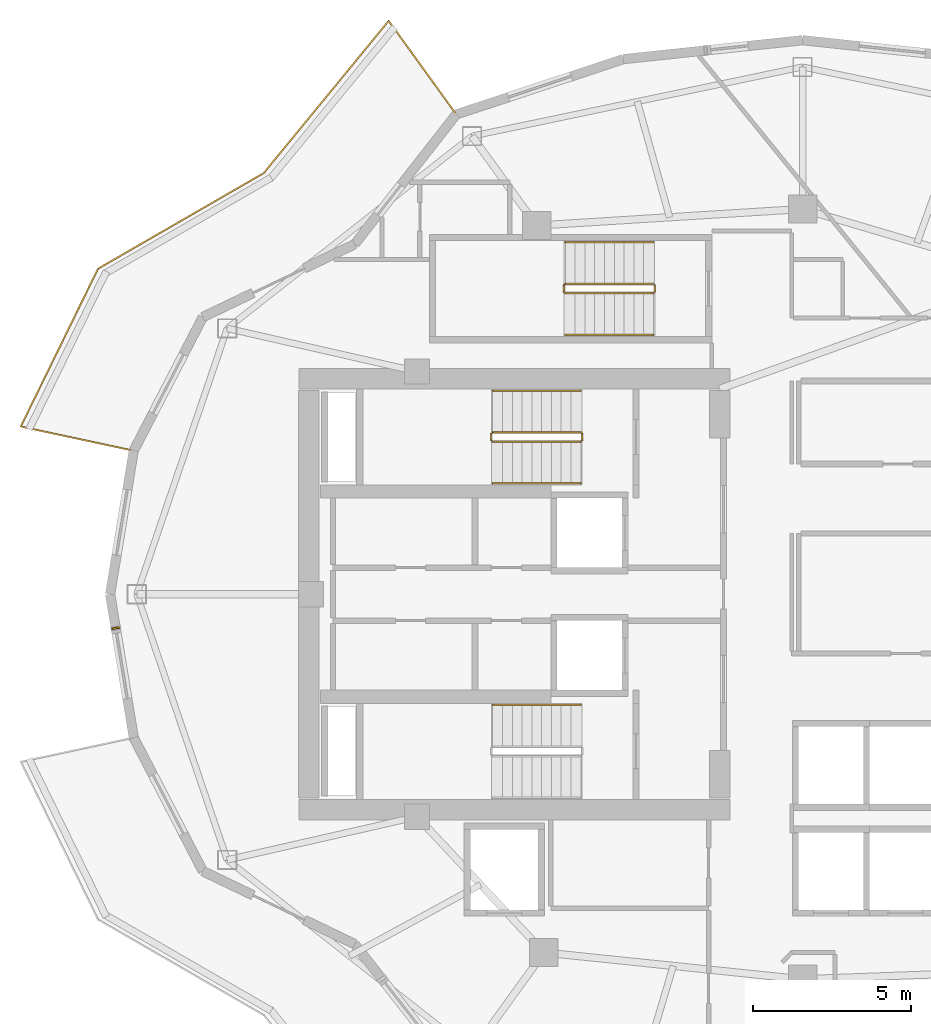
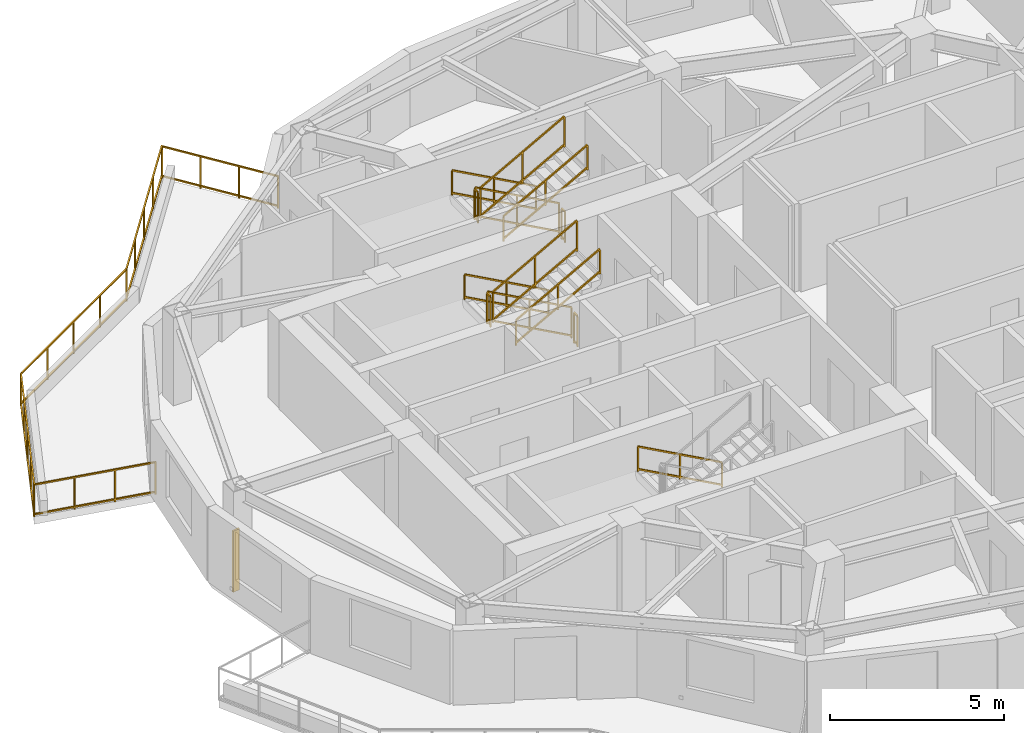
# One storey, part 12 of 13: 14 railings, 1 shading device.
"""IFC4 building model written with IfcOpenShell, lengths in metres."""

from ifc_helpers import new_model, si_unit, direction, frame, origin, origin_2d, place, context, subcontext, project, spatial, rectangle, extrude, material, type_object, element, save


model = new_model("IFC4")

# Units and contexts
model_context = context("Model", 3, precision=1e-05, world=origin(), true_north=direction((0.0, 1.0)))
body_context = subcontext(model_context, "Body", "Model", "MODEL_VIEW")
ifc_project = project(units=[si_unit("LENGTHUNIT", "METRE"), si_unit("AREAUNIT", "SQUARE_METRE"), si_unit("VOLUMEUNIT", "CUBIC_METRE"), si_unit("PLANEANGLEUNIT", "RADIAN"), si_unit("MASSUNIT", "GRAM", prefix="KILO")], contexts=[model_context])

# Site, building, storey
site_placement = place(None, origin())
site = spatial("IfcSite", under=ifc_project, at=site_placement, CompositionType="ELEMENT")
building_placement = place(site_placement, origin())
building = spatial("IfcBuilding", under=site, at=building_placement, Name="Kolvaren Gate Tower and Convention Centre", CompositionType="ELEMENT")
storey_placement = place(building_placement, frame((0.0, 0.0, 183.5)))
storey = spatial("IfcBuildingStorey", under=building, at=storey_placement, Name="L48", CompositionType="ELEMENT", Elevation=183.5)

# Railings
ifc_material_1 = material(Name="Brushed Stainless Steel Grade 316L", Category="steel")
railing_type_1 = type_object("IfcRailingType", Name="ARCH-RL-GUARD-1150", PredefinedType="GUARDRAIL", material=ifc_material_1)
railing_1_placement = place(storey_placement, frame((23.10009765625, 32.1298828125, 0.169921875)))
element("IfcRailing", 1, at=railing_1_placement, inside=storey, type_object=railing_type_1, Name="L48 ST-T1 stair guard 1", PredefinedType="GUARDRAIL", context=body_context, shape_type="SweptSolid", body=[
    extrude(rectangle(XDim=0.048095703125, YDim=0.048095703125, at=origin_2d()), frame((0.0, 0.0, 1.076171875), z_axis=(-0.876811365212, 0.0, 0.480834513982), x_axis=(0.0, -1.0, 0.0)), (0.0, 0.0, 1.0), 3.18212890625),
    extrude(rectangle(XDim=0.048095703125, YDim=0.048095703125, at=origin_2d()), frame((0.0, 0.0, 0.083984375), z_axis=(-0.876811365212, 0.0, 0.480834513982), x_axis=(0.0, -1.0, 0.0)), (0.0, 0.0, 1.0), 3.18212890625),
    extrude(rectangle(XDim=0.0419921875, YDim=0.0419921875, at=origin_2d()), origin(), (0.0, 0.0, 1.0), 1.050048828125),
    extrude(rectangle(XDim=0.0419921875, YDim=0.0419921875, at=origin_2d()), frame((-2.7900390625, 0.0, 1.530029296875)), (0.0, 0.0, 1.0), 1.050048828125),
    extrude(rectangle(XDim=0.0419921875, YDim=0.0419921875, at=origin_2d()), frame((-1.39501953125, 0.0, 0.76513671875)), (0.0, 0.0, 1.0), 1.050048828125),
])
railing_2_placement = place(storey_placement, frame((20.260009765625, 32.080078125, 1.699951171875)))
element("IfcRailing", 2, at=railing_2_placement, inside=storey, type_object=railing_type_1, Name="L48 ST-T1 stair guard 2", PredefinedType="GUARDRAIL", context=body_context, shape_type="SweptSolid", body=[
    extrude(rectangle(XDim=0.048095703125, YDim=0.048095703125, at=origin_2d()), frame((0.0, 0.0, 1.076171875), z_axis=(0.0, -1.0, 0.0), x_axis=(1.0, 0.0, 0.0)), (0.0, 0.0, 1.0), 0.2001953125),
    extrude(rectangle(XDim=0.048095703125, YDim=0.048095703125, at=origin_2d()), frame((0.0, 0.0, 0.083984375), z_axis=(0.0, -1.0, 0.0), x_axis=(1.0, 0.0, 0.0)), (0.0, 0.0, 1.0), 0.2001953125),
    extrude(rectangle(XDim=0.0419921875, YDim=0.0419921875, at=origin_2d()), origin(), (0.0, 0.0, 1.0), 1.050048828125),
    extrude(rectangle(XDim=0.0419921875, YDim=0.0419921875, at=origin_2d()), frame((0.0, -0.2001953125, 0.0)), (0.0, 0.0, 1.0), 1.050048828125),
])
railing_3_placement = place(storey_placement, frame((20.31005859375, 31.830078125, 1.8701171875)))
element("IfcRailing", 3, at=railing_3_placement, inside=storey, type_object=railing_type_1, Name="L48 ST-T1 stair guard 3", PredefinedType="GUARDRAIL", context=body_context, shape_type="SweptSolid", body=[
    extrude(rectangle(XDim=0.048095703125, YDim=0.048095703125, at=origin_2d()), frame((0.0, 0.0, 1.076171875), z_axis=(0.876843711699, 0.0, 0.480775524808), x_axis=(0.0, 1.0, 0.0)), (0.0, 0.0, 1.0), 3.181884765625),
    extrude(rectangle(XDim=0.048095703125, YDim=0.048095703125, at=origin_2d()), frame((0.0, 0.0, 0.083984375), z_axis=(0.876843711699, 0.0, 0.480775524808), x_axis=(0.0, 1.0, 0.0)), (0.0, 0.0, 1.0), 3.181884765625),
    extrude(rectangle(XDim=0.0419921875, YDim=0.0419921875, at=origin_2d()), origin(), (0.0, 0.0, 1.0), 1.050048828125),
    extrude(rectangle(XDim=0.0419921875, YDim=0.0419921875, at=origin_2d()), frame((2.7900390625, 0.0, 1.52978515625)), (0.0, 0.0, 1.0), 1.050048828125),
    extrude(rectangle(XDim=0.0419921875, YDim=0.0419921875, at=origin_2d()), frame((1.39501953125, 0.0, 0.764892578125)), (0.0, 0.0, 1.0), 1.050048828125),
])
railing_4_placement = place(storey_placement, frame((23.14990234375, 32.080078125, 0.0)))
element("IfcRailing", 4, at=railing_4_placement, inside=storey, type_object=railing_type_1, Name="L48 ST-T1 stair guard 4", PredefinedType="GUARDRAIL", context=body_context, shape_type="SweptSolid", body=[
    extrude(rectangle(XDim=0.048095703125, YDim=0.048095703125, at=origin_2d()), frame((0.0, 0.0, 1.076171875), z_axis=(0.0, -1.0, 0.0), x_axis=(1.0, 0.0, 0.0)), (0.0, 0.0, 1.0), 0.2001953125),
    extrude(rectangle(XDim=0.048095703125, YDim=0.048095703125, at=origin_2d()), frame((0.0, 0.0, 0.083984375), z_axis=(0.0, -1.0, 0.0), x_axis=(1.0, 0.0, 0.0)), (0.0, 0.0, 1.0), 0.2001953125),
    extrude(rectangle(XDim=0.0419921875, YDim=0.0419921875, at=origin_2d()), origin(), (0.0, 0.0, 1.0), 1.050048828125),
    extrude(rectangle(XDim=0.0419921875, YDim=0.0419921875, at=origin_2d()), frame((0.0, -0.2001953125, 0.0)), (0.0, 0.0, 1.0), 1.050048828125),
])
railing_5_placement = place(storey_placement, frame((25.39990234375, 36.830078125, 0.169921875)))
element("IfcRailing", 5, at=railing_5_placement, inside=storey, type_object=railing_type_1, Name="L48 ST-T3 stair guard 1", PredefinedType="GUARDRAIL", context=body_context, shape_type="SweptSolid", body=[
    extrude(rectangle(XDim=0.048095703125, YDim=0.048095703125, at=origin_2d()), frame((0.0, 0.0, 1.076171875), z_axis=(-0.8767936245, 0.0, 0.480866863109), x_axis=(0.0, -1.0, 0.0)), (0.0, 0.0, 1.0), 3.181884765625),
    extrude(rectangle(XDim=0.048095703125, YDim=0.048095703125, at=origin_2d()), frame((0.0, 0.0, 0.083984375), z_axis=(-0.8767936245, 0.0, 0.480866863109), x_axis=(0.0, -1.0, 0.0)), (0.0, 0.0, 1.0), 3.181884765625),
    extrude(rectangle(XDim=0.0419921875, YDim=0.0419921875, at=origin_2d()), origin(), (0.0, 0.0, 1.0), 1.050048828125),
    extrude(rectangle(XDim=0.0419921875, YDim=0.0419921875, at=origin_2d()), frame((-2.789794921875, 0.0, 1.530029296875)), (0.0, 0.0, 1.0), 1.050048828125),
    extrude(rectangle(XDim=0.0419921875, YDim=0.0419921875, at=origin_2d()), frame((-1.39501953125, 0.0, 0.76513671875)), (0.0, 0.0, 1.0), 1.050048828125),
])
railing_6_placement = place(storey_placement, frame((22.56005859375, 36.780029296875, 1.699951171875)))
element("IfcRailing", 6, at=railing_6_placement, inside=storey, type_object=railing_type_1, Name="L48 ST-T3 stair guard 2", PredefinedType="GUARDRAIL", context=body_context, shape_type="SweptSolid", body=[
    extrude(rectangle(XDim=0.048095703125, YDim=0.048095703125, at=origin_2d()), frame((0.0, 0.0, 1.076171875), z_axis=(0.0, -1.0, 0.0), x_axis=(1.0, 0.0, 0.0)), (0.0, 0.0, 1.0), 0.199951171875),
    extrude(rectangle(XDim=0.048095703125, YDim=0.048095703125, at=origin_2d()), frame((0.0, 0.0, 0.083984375), z_axis=(0.0, -1.0, 0.0), x_axis=(1.0, 0.0, 0.0)), (0.0, 0.0, 1.0), 0.199951171875),
    extrude(rectangle(XDim=0.0419921875, YDim=0.0419921875, at=origin_2d()), origin(), (0.0, 0.0, 1.0), 1.050048828125),
    extrude(rectangle(XDim=0.0419921875, YDim=0.0419921875, at=origin_2d()), frame((0.0, -0.199951171875, 0.0)), (0.0, 0.0, 1.0), 1.050048828125),
])
railing_7_placement = place(storey_placement, frame((22.610107421875, 36.530029296875, 1.8701171875)))
element("IfcRailing", 7, at=railing_7_placement, inside=storey, type_object=railing_type_1, Name="L48 ST-T3 stair guard 3", PredefinedType="GUARDRAIL", context=body_context, shape_type="SweptSolid", body=[
    extrude(rectangle(XDim=0.048095703125, YDim=0.048095703125, at=origin_2d()), frame((0.0, 0.0, 1.076171875), z_axis=(0.876825974686, 0.0, 0.480807872353), x_axis=(0.0, 1.0, 0.0)), (0.0, 0.0, 1.0), 3.181640625),
    extrude(rectangle(XDim=0.048095703125, YDim=0.048095703125, at=origin_2d()), frame((0.0, 0.0, 0.083984375), z_axis=(0.876825974686, 0.0, 0.480807872353), x_axis=(0.0, 1.0, 0.0)), (0.0, 0.0, 1.0), 3.181640625),
    extrude(rectangle(XDim=0.0419921875, YDim=0.0419921875, at=origin_2d()), origin(), (0.0, 0.0, 1.0), 1.050048828125),
    extrude(rectangle(XDim=0.0419921875, YDim=0.0419921875, at=origin_2d()), frame((2.789794921875, 0.0, 1.52978515625)), (0.0, 0.0, 1.0), 1.050048828125),
    extrude(rectangle(XDim=0.0419921875, YDim=0.0419921875, at=origin_2d()), frame((1.39501953125, 0.0, 0.764892578125)), (0.0, 0.0, 1.0), 1.050048828125),
])
railing_8_placement = place(storey_placement, frame((25.449951171875, 36.780029296875, 0.0)))
element("IfcRailing", 8, at=railing_8_placement, inside=storey, type_object=railing_type_1, Name="L48 ST-T3 stair guard 4", PredefinedType="GUARDRAIL", context=body_context, shape_type="SweptSolid", body=[
    extrude(rectangle(XDim=0.048095703125, YDim=0.048095703125, at=origin_2d()), frame((0.0, 0.0, 1.076171875), z_axis=(0.0, -1.0, 0.0), x_axis=(1.0, 0.0, 0.0)), (0.0, 0.0, 1.0), 0.199951171875),
    extrude(rectangle(XDim=0.048095703125, YDim=0.048095703125, at=origin_2d()), frame((0.0, 0.0, 0.083984375), z_axis=(0.0, -1.0, 0.0), x_axis=(1.0, 0.0, 0.0)), (0.0, 0.0, 1.0), 0.199951171875),
    extrude(rectangle(XDim=0.0419921875, YDim=0.0419921875, at=origin_2d()), origin(), (0.0, 0.0, 1.0), 1.050048828125),
    extrude(rectangle(XDim=0.0419921875, YDim=0.0419921875, at=origin_2d()), frame((0.0, -0.199951171875, 0.0)), (0.0, 0.0, 1.0), 1.050048828125),
])
railing_9_placement = place(storey_placement, frame((19.15625, 42.19873046875, 0.0)))
element("IfcRailing", 9, at=railing_9_placement, inside=storey, type_object=railing_type_1, Name="Tower L48 Terrace Perimeter Guardrail GR-1", PredefinedType="GUARDRAIL", context=body_context, shape_type="SweptSolid", body=[
    extrude(rectangle(XDim=0.048095703125, YDim=0.048095703125, at=origin_2d()), frame((-0.016357421875, 0.022705078125, 1.1259765625), z_axis=(-0.585212870465, 0.810879705161, 0.0), x_axis=(-0.810879705161, -0.585212870465, 0.0)), (0.0, 0.0, 1.0), 3.603759765625),
    extrude(rectangle(XDim=0.048095703125, YDim=0.048095703125, at=origin_2d()), frame((-0.016357421875, 0.022705078125, 0.083984375), z_axis=(-0.585212870465, 0.810879705161, 0.0), x_axis=(-0.810879705161, -0.585212870465, 0.0)), (0.0, 0.0, 1.0), 3.603759765625),
    extrude(rectangle(XDim=0.048095703125, YDim=0.048095703125, at=origin_2d()), frame((-2.15966796875, 2.946044921875, 1.1259765625), z_axis=(-0.634429234628, -0.77298094818, 0.0), x_axis=(0.77298094818, -0.634429234628, 0.0)), (0.0, 0.0, 1.0), 6.188720703125),
    extrude(rectangle(XDim=0.048095703125, YDim=0.048095703125, at=origin_2d()), frame((-2.15966796875, 2.946044921875, 0.083984375), z_axis=(-0.634429234628, -0.77298094818, 0.0), x_axis=(0.77298094818, -0.634429234628, 0.0)), (0.0, 0.0, 1.0), 6.188720703125),
    extrude(rectangle(XDim=0.048095703125, YDim=0.048095703125, at=origin_2d()), frame((-6.1279296875, -1.873291015625, 1.1259765625), z_axis=(-0.866075571306, -0.499913097234, 0.0), x_axis=(0.499913097234, -0.866075571306, 0.0)), (0.0, 0.0, 1.0), 6.004150390625),
    extrude(rectangle(XDim=0.048095703125, YDim=0.048095703125, at=origin_2d()), frame((-6.1279296875, -1.873291015625, 0.083984375), z_axis=(-0.866075571306, -0.499913097234, 0.0), x_axis=(0.499913097234, -0.866075571306, 0.0)), (0.0, 0.0, 1.0), 6.004150390625),
    extrude(rectangle(XDim=0.048095703125, YDim=0.048095703125, at=origin_2d()), frame((-11.36474609375, -4.9140625, 1.1259765625), z_axis=(-0.439655234701, -0.898166618507, 0.0), x_axis=(0.898166618507, -0.439655234701, 0.0)), (0.0, 0.0, 1.0), 5.51123046875),
    extrude(rectangle(XDim=0.048095703125, YDim=0.048095703125, at=origin_2d()), frame((-11.36474609375, -4.9140625, 0.083984375), z_axis=(-0.439655234701, -0.898166618507, 0.0), x_axis=(0.898166618507, -0.439655234701, 0.0)), (0.0, 0.0, 1.0), 5.51123046875),
    extrude(rectangle(XDim=0.048095703125, YDim=0.048095703125, at=origin_2d()), frame((-13.772705078125, -9.895263671875, 1.1259765625), z_axis=(0.977791675321, -0.209579196661, 0.0), x_axis=(0.209579196661, 0.977791675321, 0.0)), (0.0, 0.0, 1.0), 3.60400390625),
    extrude(rectangle(XDim=0.048095703125, YDim=0.048095703125, at=origin_2d()), frame((-13.772705078125, -9.895263671875, 0.083984375), z_axis=(0.977791675321, -0.209579196661, 0.0), x_axis=(0.209579196661, 0.977791675321, 0.0)), (0.0, 0.0, 1.0), 3.60400390625),
    extrude(rectangle(XDim=0.0419921875, YDim=0.0419921875, at=origin_2d()), origin(), (0.0, 0.0, 1.0), 1.14990234375),
    extrude(rectangle(XDim=0.0419921875, YDim=0.0419921875, at=origin_2d()), frame((-2.141845703125, 2.9677734375, 0.0)), (0.0, 0.0, 1.0), 1.14990234375),
    extrude(rectangle(XDim=0.0419921875, YDim=0.0419921875, at=origin_2d()), frame((-0.7138671875, 0.9892578125, 0.0)), (0.0, 0.0, 1.0), 1.099853515625),
    extrude(rectangle(XDim=0.0419921875, YDim=0.0419921875, at=origin_2d()), frame((-1.427978515625, 1.978515625, 0.0)), (0.0, 0.0, 1.0), 1.099853515625),
    extrude(rectangle(XDim=0.0419921875, YDim=0.0419921875, at=origin_2d()), frame((-6.103759765625, -1.859375, 0.0)), (0.0, 0.0, 1.0), 1.14990234375),
    extrude(rectangle(XDim=0.0419921875, YDim=0.0419921875, at=origin_2d()), frame((-3.13232421875, 1.760986328125, 0.0)), (0.0, 0.0, 1.0), 1.099853515625),
    extrude(rectangle(XDim=0.0419921875, YDim=0.0419921875, at=origin_2d()), frame((-4.122802734375, 0.55419921875, 0.0)), (0.0, 0.0, 1.0), 1.099853515625),
    extrude(rectangle(XDim=0.0419921875, YDim=0.0419921875, at=origin_2d()), frame((-5.11328125, -0.652587890625, 0.0)), (0.0, 0.0, 1.0), 1.099853515625),
    extrude(rectangle(XDim=0.0419921875, YDim=0.0419921875, at=origin_2d()), frame((-11.352294921875, -4.888916015625, 0.0)), (0.0, 0.0, 1.0), 1.14990234375),
    extrude(rectangle(XDim=0.0419921875, YDim=0.0419921875, at=origin_2d()), frame((-7.416015625, -2.61669921875, 0.0)), (0.0, 0.0, 1.0), 1.099853515625),
    extrude(rectangle(XDim=0.0419921875, YDim=0.0419921875, at=origin_2d()), frame((-8.72802734375, -3.3740234375, 0.0)), (0.0, 0.0, 1.0), 1.099853515625),
    extrude(rectangle(XDim=0.0419921875, YDim=0.0419921875, at=origin_2d()), frame((-10.0400390625, -4.131591796875, 0.0)), (0.0, 0.0, 1.0), 1.099853515625),
    extrude(rectangle(XDim=0.0419921875, YDim=0.0419921875, at=origin_2d()), frame((-13.800048828125, -9.889404296875, 0.0)), (0.0, 0.0, 1.0), 1.14990234375),
    extrude(rectangle(XDim=0.0419921875, YDim=0.0419921875, at=origin_2d()), frame((-11.96435546875, -6.13916015625, 0.0)), (0.0, 0.0, 1.0), 1.099853515625),
    extrude(rectangle(XDim=0.0419921875, YDim=0.0419921875, at=origin_2d()), frame((-12.576171875, -7.38916015625, 0.0)), (0.0, 0.0, 1.0), 1.099853515625),
    extrude(rectangle(XDim=0.0419921875, YDim=0.0419921875, at=origin_2d()), frame((-13.18798828125, -8.63916015625, 0.0)), (0.0, 0.0, 1.0), 1.099853515625),
    extrude(rectangle(XDim=0.0419921875, YDim=0.0419921875, at=origin_2d()), frame((-10.22119140625, -10.656494140625, 0.0)), (0.0, 0.0, 1.0), 1.14990234375),
    extrude(rectangle(XDim=0.0419921875, YDim=0.0419921875, at=origin_2d()), frame((-12.607177734375, -10.14501953125, 0.0)), (0.0, 0.0, 1.0), 1.099853515625),
    extrude(rectangle(XDim=0.0419921875, YDim=0.0419921875, at=origin_2d()), frame((-11.4140625, -10.40087890625, 0.0)), (0.0, 0.0, 1.0), 1.099853515625),
])
railing_type_2 = type_object("IfcRailingType", Name="ARCH-RL-HANDRAIL-920", PredefinedType="HANDRAIL", material=ifc_material_1)
railing_10_placement = place(storey_placement, frame((23.10009765625, 33.449951171875, 0.169921875)))
element("IfcRailing", 10, at=railing_10_placement, inside=storey, type_object=railing_type_2, Name="L48 ST-T1 stair handrail 1", PredefinedType="HANDRAIL", context=body_context, shape_type="SweptSolid", body=[
    extrude(rectangle(XDim=0.048095703125, YDim=0.048095703125, at=origin_2d()), frame((0.0, 0.0, 0.8759765625), z_axis=(-0.876811365212, 0.0, 0.480834513982), x_axis=(0.0, -1.0, 0.0)), (0.0, 0.0, 1.0), 3.18212890625),
    extrude(rectangle(XDim=0.048095703125, YDim=0.048095703125, at=origin_2d()), frame((0.0, 0.0, 0.083984375), z_axis=(-0.876811365212, 0.0, 0.480834513982), x_axis=(0.0, -1.0, 0.0)), (0.0, 0.0, 1.0), 3.18212890625),
    extrude(rectangle(XDim=0.0419921875, YDim=0.0419921875, at=origin_2d()), origin(), (0.0, 0.0, 1.0), 0.849853515625),
    extrude(rectangle(XDim=0.0419921875, YDim=0.0419921875, at=origin_2d()), frame((-2.7900390625, 0.0, 1.530029296875)), (0.0, 0.0, 1.0), 0.849853515625),
    extrude(rectangle(XDim=0.0419921875, YDim=0.0419921875, at=origin_2d()), frame((-1.39501953125, 0.0, 0.76513671875)), (0.0, 0.0, 1.0), 0.849853515625),
])
railing_11_placement = place(storey_placement, frame((20.31005859375, 30.510009765625, 1.8701171875)))
element("IfcRailing", 11, at=railing_11_placement, inside=storey, type_object=railing_type_2, Name="L48 ST-T1 stair handrail 2", PredefinedType="HANDRAIL", context=body_context, shape_type="SweptSolid", body=[
    extrude(rectangle(XDim=0.048095703125, YDim=0.048095703125, at=origin_2d()), frame((0.0, 0.0, 0.8759765625), z_axis=(0.876843711699, 0.0, 0.480775524808), x_axis=(0.0, 1.0, 0.0)), (0.0, 0.0, 1.0), 3.181884765625),
    extrude(rectangle(XDim=0.048095703125, YDim=0.048095703125, at=origin_2d()), frame((0.0, 0.0, 0.083984375), z_axis=(0.876843711699, 0.0, 0.480775524808), x_axis=(0.0, 1.0, 0.0)), (0.0, 0.0, 1.0), 3.181884765625),
    extrude(rectangle(XDim=0.0419921875, YDim=0.0419921875, at=origin_2d()), origin(), (0.0, 0.0, 1.0), 0.849853515625),
    extrude(rectangle(XDim=0.0419921875, YDim=0.0419921875, at=origin_2d()), frame((2.7900390625, 0.0, 1.52978515625)), (0.0, 0.0, 1.0), 0.849853515625),
    extrude(rectangle(XDim=0.0419921875, YDim=0.0419921875, at=origin_2d()), frame((1.39501953125, 0.0, 0.764892578125)), (0.0, 0.0, 1.0), 0.849853515625),
])
railing_12_placement = place(storey_placement, frame((23.10009765625, 23.489990234375, 0.169921875)))
element("IfcRailing", 12, at=railing_12_placement, inside=storey, type_object=railing_type_2, Name="L48 ST-T2 stair handrail 1", PredefinedType="HANDRAIL", context=body_context, shape_type="SweptSolid", body=[
    extrude(rectangle(XDim=0.048095703125, YDim=0.048095703125, at=origin_2d()), frame((0.0, 0.0, 0.8759765625), z_axis=(-0.876811365212, 0.0, 0.480834513982), x_axis=(0.0, -1.0, 0.0)), (0.0, 0.0, 1.0), 3.18212890625),
    extrude(rectangle(XDim=0.048095703125, YDim=0.048095703125, at=origin_2d()), frame((0.0, 0.0, 0.083984375), z_axis=(-0.876811365212, 0.0, 0.480834513982), x_axis=(0.0, -1.0, 0.0)), (0.0, 0.0, 1.0), 3.18212890625),
    extrude(rectangle(XDim=0.0419921875, YDim=0.0419921875, at=origin_2d()), origin(), (0.0, 0.0, 1.0), 0.849853515625),
    extrude(rectangle(XDim=0.0419921875, YDim=0.0419921875, at=origin_2d()), frame((-2.7900390625, 0.0, 1.530029296875)), (0.0, 0.0, 1.0), 0.849853515625),
    extrude(rectangle(XDim=0.0419921875, YDim=0.0419921875, at=origin_2d()), frame((-1.39501953125, 0.0, 0.76513671875)), (0.0, 0.0, 1.0), 0.849853515625),
])
railing_13_placement = place(storey_placement, frame((25.39990234375, 38.14990234375, 0.169921875)))
element("IfcRailing", 13, at=railing_13_placement, inside=storey, type_object=railing_type_2, Name="L48 ST-T3 stair handrail 1", PredefinedType="HANDRAIL", context=body_context, shape_type="SweptSolid", body=[
    extrude(rectangle(XDim=0.048095703125, YDim=0.048095703125, at=origin_2d()), frame((0.0, 0.0, 0.8759765625), z_axis=(-0.8767936245, 0.0, 0.480866863109), x_axis=(0.0, -1.0, 0.0)), (0.0, 0.0, 1.0), 3.181884765625),
    extrude(rectangle(XDim=0.048095703125, YDim=0.048095703125, at=origin_2d()), frame((0.0, 0.0, 0.083984375), z_axis=(-0.8767936245, 0.0, 0.480866863109), x_axis=(0.0, -1.0, 0.0)), (0.0, 0.0, 1.0), 3.181884765625),
    extrude(rectangle(XDim=0.0419921875, YDim=0.0419921875, at=origin_2d()), origin(), (0.0, 0.0, 1.0), 0.849853515625),
    extrude(rectangle(XDim=0.0419921875, YDim=0.0419921875, at=origin_2d()), frame((-2.789794921875, 0.0, 1.530029296875)), (0.0, 0.0, 1.0), 0.849853515625),
    extrude(rectangle(XDim=0.0419921875, YDim=0.0419921875, at=origin_2d()), frame((-1.39501953125, 0.0, 0.76513671875)), (0.0, 0.0, 1.0), 0.849853515625),
])
railing_14_placement = place(storey_placement, frame((22.610107421875, 35.2099609375, 1.8701171875)))
element("IfcRailing", 14, at=railing_14_placement, inside=storey, type_object=railing_type_2, Name="L48 ST-T3 stair handrail 2", PredefinedType="HANDRAIL", context=body_context, shape_type="SweptSolid", body=[
    extrude(rectangle(XDim=0.048095703125, YDim=0.048095703125, at=origin_2d()), frame((0.0, 0.0, 0.8759765625), z_axis=(0.876825974686, 0.0, 0.480807872353), x_axis=(0.0, 1.0, 0.0)), (0.0, 0.0, 1.0), 3.181640625),
    extrude(rectangle(XDim=0.048095703125, YDim=0.048095703125, at=origin_2d()), frame((0.0, 0.0, 0.083984375), z_axis=(0.876825974686, 0.0, 0.480807872353), x_axis=(0.0, 1.0, 0.0)), (0.0, 0.0, 1.0), 3.181640625),
    extrude(rectangle(XDim=0.0419921875, YDim=0.0419921875, at=origin_2d()), origin(), (0.0, 0.0, 1.0), 0.849853515625),
    extrude(rectangle(XDim=0.0419921875, YDim=0.0419921875, at=origin_2d()), frame((2.789794921875, 0.0, 1.52978515625)), (0.0, 0.0, 1.0), 0.849853515625),
    extrude(rectangle(XDim=0.0419921875, YDim=0.0419921875, at=origin_2d()), frame((1.39501953125, 0.0, 0.764892578125)), (0.0, 0.0, 1.0), 0.849853515625),
])

# Shading device
ifc_material_2 = material(Name="Kiln-Fired Bogota Terracotta Ceramic Louvre Profile", Category="masonry")
shading_device_type = type_object("IfcShadingDeviceType", Name="ARCH-SHD-FIN-180", PredefinedType="JALOUSIE", material=ifc_material_2)
shading_device_placement = place(storey_placement, frame((8.36474609375, 25.922607421875, 0.219970703125), z_axis=(0.0, 0.0, 1.0), x_axis=(0.162380568014, -0.986728205298, 0.0)))
element("IfcShadingDevice", 15, at=shading_device_placement, inside=storey, type_object=shading_device_type, Name="Ceramic Vertical Brise-Soleil Fin FN-L48-12", PredefinedType="JALOUSIE", context=body_context, shape_type="SweptSolid", body=[
    extrude(rectangle(XDim=0.06005859375, YDim=0.239990234375, at=origin_2d()), origin(), (0.0, 0.0, 1.0), 2.14990234375),
])

save(model, "model.ifc")
